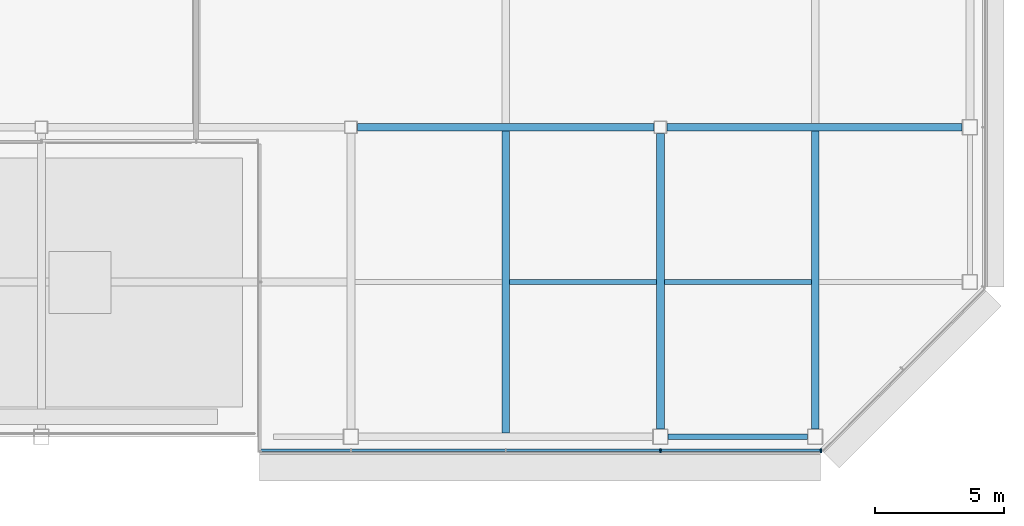
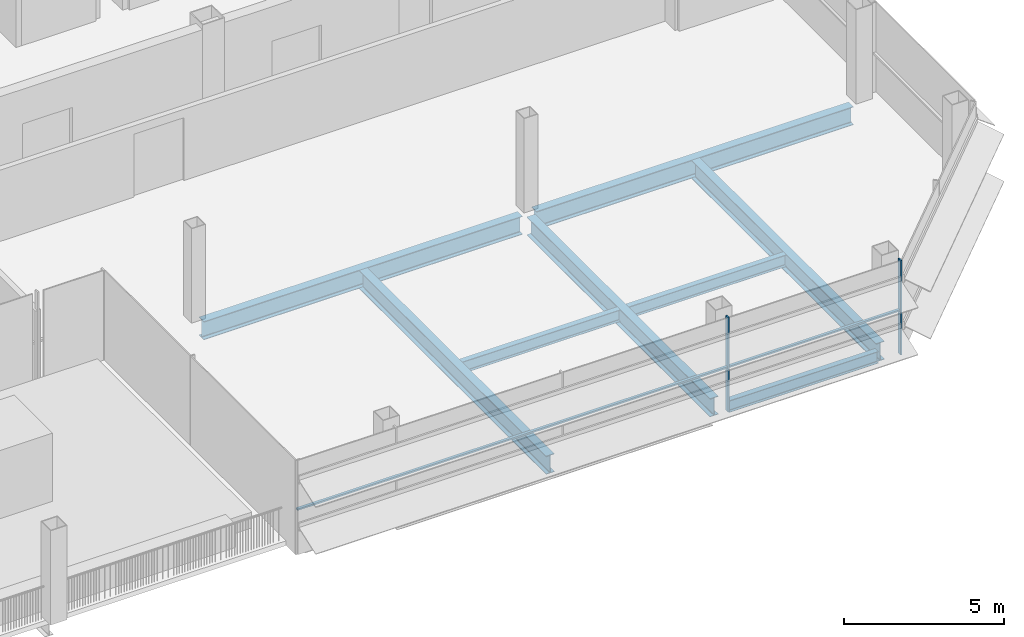
# One storey, part 10 of 27: 8 beams, 3 members, 1 element without a shape of its own.
"""IFC4 building model written with IfcOpenShell, lengths in metres."""

from ifc_helpers import new_model, si_unit, direction, frame, origin, origin_2d, place, context, subcontext, project, spatial, rectangle, i_section, extrude, material, material_profile, profile_set, type_object, element, aggregate, save


model = new_model("IFC4")

# Units and contexts
model_context = context("Model", 3, precision=1e-05, world=origin(), true_north=direction((0.0, 1.0)))
body_context = subcontext(model_context, "Body", "Model", "MODEL_VIEW")
ifc_project = project(units=[si_unit("LENGTHUNIT", "METRE"), si_unit("AREAUNIT", "SQUARE_METRE"), si_unit("VOLUMEUNIT", "CUBIC_METRE"), si_unit("PLANEANGLEUNIT", "RADIAN"), si_unit("MASSUNIT", "GRAM", prefix="KILO")], contexts=[model_context])

# Site, building, storey
site_placement = place(None, origin())
site = spatial("IfcSite", under=ifc_project, at=site_placement, CompositionType="ELEMENT")
building_placement = place(site_placement, origin())
building = spatial("IfcBuilding", under=site, at=building_placement, Name="Sorahane Residences", CompositionType="ELEMENT")
storey_placement = place(building_placement, frame((0.0, 0.0, 298.0)))
storey = spatial("IfcBuildingStorey", under=building, at=storey_placement, Name="L70", CompositionType="ELEMENT", Elevation=298.0)

# Curtain wall, members
ifc_material_1 = material(Name="Dark low-e glass and black anodised aluminium", Category="aluminium")
curtain_wall_type = type_object("IfcCurtainWallType", Name="Curtain wall CW-1 Typical unitised wall", PredefinedType="NOTDEFINED", material=ifc_material_1)
curtain_wall_placement = place(storey_placement, origin())
curtain_wall = element("IfcCurtainWall", 1, at=curtain_wall_placement, inside=storey, type_object=curtain_wall_type, Name="CW-1 curtain wall L70 S3", PredefinedType="NOTDEFINED")
ifc_material_2 = material(Name="Black anodised aluminium", Category="aluminium")
ifc_material_profile_1 = material_profile(ifc_material_2, rectangle(XDim=0.159912109375, YDim=0.050048828125, at=origin_2d()), Name="Curtain wall mullion CW-1 black anodised aluminium 50x160")
ifc_profile_set_1 = profile_set([ifc_material_profile_1], Name="Black anodised aluminium")
member_type_1 = type_object("IfcMemberType", Name="Curtain wall mullion CW-1 black anodised aluminium 50x160", PredefinedType="MULLION", material=ifc_profile_set_1)
member_1_placement = place(storey_placement, frame((36.0, -0.5400390625, -0.179931640625), z_axis=(0.0, 0.0, 1.0), x_axis=(0.0, -1.0, 0.0)))
member_1 = element("IfcMember", 2, at=member_1_placement, type_object=member_type_1, Name="CW-1 mullion L70 S3.4", PredefinedType="MULLION", context=body_context, shape_type="SweptSolid", body=[
    extrude(rectangle(XDim=0.159912109375, YDim=0.050048828125, at=origin_2d()), origin(), (0.0, 0.0, 1.0), 3.599853515625),
])
member_2_placement = place(storey_placement, frame((42.2236328125, -0.5400390625, -0.179931640625), z_axis=(0.0, 0.0, 1.0), x_axis=(0.0, -1.0, 0.0)))
member_2 = element("IfcMember", 3, at=member_2_placement, type_object=member_type_1, Name="CW-1 mullion L70 S3.5", PredefinedType="MULLION", context=body_context, shape_type="SweptSolid", body=[
    extrude(rectangle(XDim=0.159912109375, YDim=0.050048828125, at=origin_2d()), origin(), (0.0, 0.0, 1.0), 3.599853515625),
])
ifc_material_3 = material(Name="Black anodised aluminium", Category="aluminium")
ifc_material_profile_2 = material_profile(ifc_material_3, rectangle(XDim=0.10009765625, YDim=0.06005859375, at=origin_2d()), Name="Curtain wall transom CW-1 black anodised aluminium 60x100")
ifc_profile_set_2 = profile_set([ifc_material_profile_2], Name="Black anodised aluminium")
member_type_2 = type_object("IfcMemberType", Name="Curtain wall transom CW-1 black anodised aluminium 60x100", PredefinedType="USERDEFINED", material=ifc_profile_set_2)
member_3_placement = place(storey_placement, frame((20.449951171875, -0.530029296875, 1.5), z_axis=(1.0, 0.0, 0.0), x_axis=(0.0, 1.0, 0.0)))
member_3 = element("IfcMember", 4, at=member_3_placement, type_object=member_type_2, Name="CW-1 transom L70 S3", ObjectType="TRANSOM", PredefinedType="USERDEFINED", context=body_context, shape_type="SweptSolid", body=[
    extrude(rectangle(XDim=0.10009765625, YDim=0.06005859375, at=origin_2d()), origin(), (0.0, 0.0, 1.0), 21.74853515625),
])
aggregate(curtain_wall, [member_1, member_2, member_3])

# Beams
ifc_material_4 = material(Name="Steel Q355B", Category="steel")
ifc_material_profile_3 = material_profile(ifc_material_4, i_section(OverallWidth=0.199951171875, OverallDepth=0.449951171875, WebThickness=0.009033203125, FlangeThickness=0.013916015625, FilletRadius=0.02001953125, at=origin_2d()), Name="HN 450x200x9x14")
ifc_profile_set_3 = profile_set([ifc_material_profile_3], Name="Steel Q355B")
beam_type_1 = type_object("IfcBeamType", Name="Steel floor beam HN 450x200x9x14 Q355B", PredefinedType="BEAM", material=ifc_profile_set_3)
beam_1_placement = place(storey_placement, frame((36.300048828125, 0.0, -0.405029296875), z_axis=(1.0, 0.0, 0.0), x_axis=(0.0, 1.0, 0.0)))
element("IfcBeam", 5, at=beam_1_placement, inside=storey, type_object=beam_type_1, Name="Beam L70 003", PredefinedType="BEAM", context=body_context, shape_type="SweptSolid", body=[
    extrude(i_section(OverallWidth=0.199951171875, OverallDepth=0.449951171875, WebThickness=0.009033203125, FlangeThickness=0.013916015625, FilletRadius=0.02001953125, at=origin_2d()), origin(), (0.0, 0.0, 1.0), 5.39990234375),
])
for number, where, z_axis, x_axis, name in (
    (6, (30.14990234375, 6.0, -0.405029296875), (1.0, 0.0, 0.0), (0.0, 1.0, 0.0), "Beam L70 069"),
    (7, (36.14990234375, 6.0, -0.405029296875), (1.0, 0.0, 0.0), (0.0, 1.0, 0.0), "Beam L70 070"),
):
    element("IfcBeam", number, at=place(storey_placement, frame(where, z_axis=z_axis, x_axis=x_axis)), inside=storey, type_object=beam_type_1, Name=name, PredefinedType="BEAM", context=body_context, shape_type="SweptSolid", body=[
        extrude(i_section(OverallWidth=0.199951171875, OverallDepth=0.449951171875, WebThickness=0.009033203125, FlangeThickness=0.013916015625, FilletRadius=0.02001953125, at=origin_2d()), origin(), (0.0, 0.0, 1.0), 5.7001953125),
    ])
ifc_material_5 = material(Name="Steel Q355B", Category="steel")
ifc_material_profile_4 = material_profile(ifc_material_5, i_section(OverallWidth=0.300048828125, OverallDepth=0.699951171875, WebThickness=0.012939453125, FlangeThickness=0.02392578125, FilletRadius=0.028076171875, at=origin_2d()), Name="HN 700x300x13x24")
ifc_profile_set_4 = profile_set([ifc_material_profile_4], Name="Steel Q355B")
beam_type_2 = type_object("IfcBeamType", Name="Steel floor beam HN 700x300x13x24 Q355B", PredefinedType="BEAM", material=ifc_profile_set_4)
beam_2_placement = place(storey_placement, frame((24.25, 12.0, -0.530029296875), z_axis=(1.0, 0.0, 0.0), x_axis=(0.0, 1.0, 0.0)))
element("IfcBeam", 8, at=beam_2_placement, inside=storey, type_object=beam_type_2, Name="Beam L70 009", PredefinedType="BEAM", context=body_context, shape_type="SweptSolid", body=[
    extrude(i_section(OverallWidth=0.300048828125, OverallDepth=0.699951171875, WebThickness=0.012939453125, FlangeThickness=0.02392578125, FilletRadius=0.028076171875, at=origin_2d()), origin(), (0.0, 0.0, 1.0), 11.5),
])
beam_3_placement = place(storey_placement, frame((36.25, 12.0, -0.530029296875), z_axis=(1.0, 0.0, 0.0), x_axis=(0.0, 1.0, 0.0)))
element("IfcBeam", 9, at=beam_3_placement, inside=storey, type_object=beam_type_2, Name="Beam L70 010", PredefinedType="BEAM", context=body_context, shape_type="SweptSolid", body=[
    extrude(i_section(OverallWidth=0.300048828125, OverallDepth=0.699951171875, WebThickness=0.012939453125, FlangeThickness=0.02392578125, FilletRadius=0.028076171875, at=origin_2d()), origin(), (0.0, 0.0, 1.0), 11.449951171875),
])
beam_4_placement = place(storey_placement, frame((30.0, 0.14990234375, -0.530029296875), z_axis=(0.0, 1.0, 0.0), x_axis=(-1.0, 0.0, 0.0)))
element("IfcBeam", 10, at=beam_4_placement, inside=storey, type_object=beam_type_2, Name="Beam L70 046", PredefinedType="BEAM", context=body_context, shape_type="SweptSolid", body=[
    extrude(i_section(OverallWidth=0.300048828125, OverallDepth=0.699951171875, WebThickness=0.012939453125, FlangeThickness=0.02392578125, FilletRadius=0.028076171875, at=origin_2d()), origin(), (0.0, 0.0, 1.0), 11.7001953125),
])
beam_5_placement = place(storey_placement, frame((36.0, 0.300048828125, -0.530029296875), z_axis=(0.0, 1.0, 0.0), x_axis=(-1.0, 0.0, 0.0)))
element("IfcBeam", 11, at=beam_5_placement, inside=storey, type_object=beam_type_2, Name="Beam L70 052", PredefinedType="BEAM", context=body_context, shape_type="SweptSolid", body=[
    extrude(i_section(OverallWidth=0.300048828125, OverallDepth=0.699951171875, WebThickness=0.012939453125, FlangeThickness=0.02392578125, FilletRadius=0.028076171875, at=origin_2d()), origin(), (0.0, 0.0, 1.0), 11.449951171875),
])
beam_6_placement = place(storey_placement, frame((42.0, 0.300048828125, -0.530029296875), z_axis=(0.0, 1.0, 0.0), x_axis=(-1.0, 0.0, 0.0)))
element("IfcBeam", 12, at=beam_6_placement, inside=storey, type_object=beam_type_2, Name="Beam L70 054", PredefinedType="BEAM", context=body_context, shape_type="SweptSolid", body=[
    extrude(i_section(OverallWidth=0.300048828125, OverallDepth=0.699951171875, WebThickness=0.012939453125, FlangeThickness=0.02392578125, FilletRadius=0.028076171875, at=origin_2d()), origin(), (0.0, 0.0, 1.0), 11.550048828125),
])

save(model, "model.ifc")
